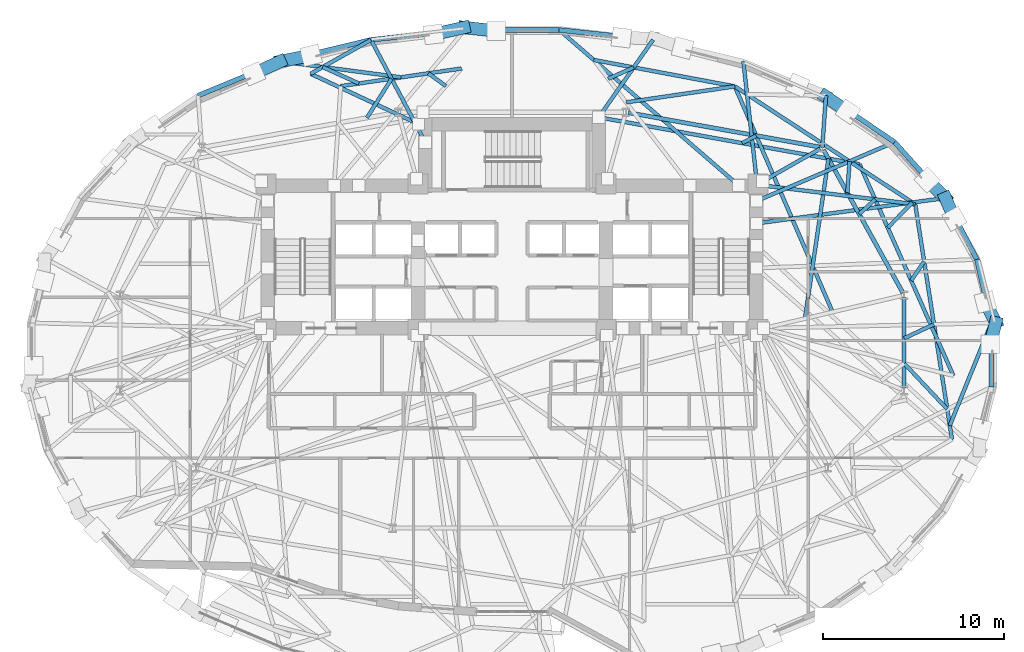
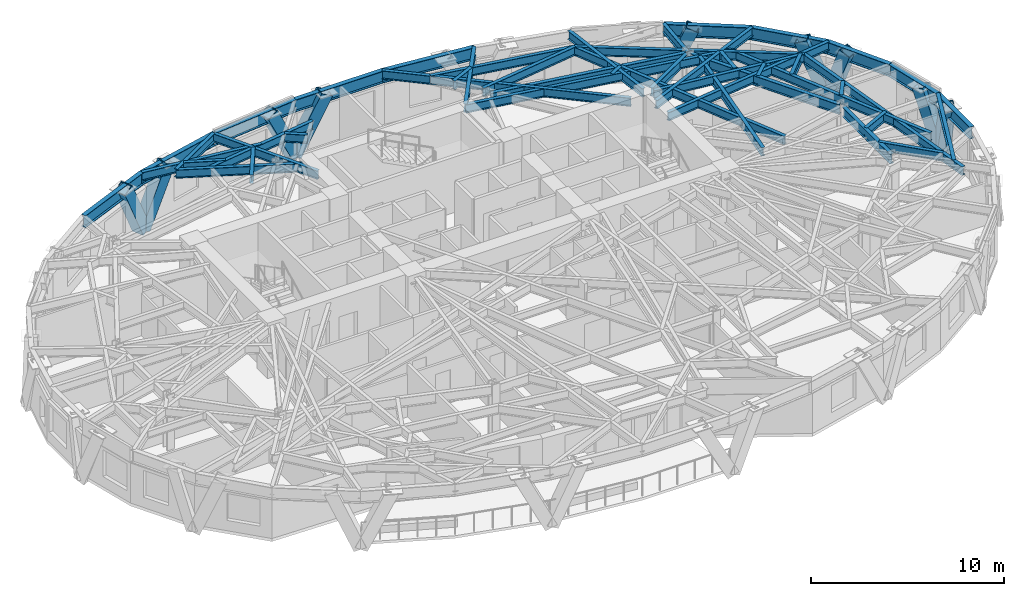
# One storey, part 5 of 15: 46 beams, 9 members.
"""IFC4 building model written with IfcOpenShell, lengths in metres."""

from ifc_helpers import new_model, si_unit, direction, frame, origin, origin_2d, place, context, subcontext, project, spatial, hollow_rectangle, i_section, extrude, material, material_profile, profile_set, type_object, element, save


model = new_model("IFC4")

# Units and contexts
model_context = context("Model", 3, precision=1e-05, world=origin(), true_north=direction((0.0, 1.0)))
body_context = subcontext(model_context, "Body", "Model", "MODEL_VIEW")
ifc_project = project(units=[si_unit("LENGTHUNIT", "METRE"), si_unit("AREAUNIT", "SQUARE_METRE"), si_unit("VOLUMEUNIT", "CUBIC_METRE"), si_unit("PLANEANGLEUNIT", "RADIAN"), si_unit("MASSUNIT", "GRAM", prefix="KILO")], contexts=[model_context])

# Site, building, storey
site_placement = place(None, origin())
site = spatial("IfcSite", under=ifc_project, at=site_placement, CompositionType="ELEMENT")
building_placement = place(site_placement, origin())
building = spatial("IfcBuilding", under=site, at=building_placement, Name="Keldmark Tower", CompositionType="ELEMENT")
storey_placement = place(building_placement, frame((0.0, 0.0, 114.10009765625)))
storey = spatial("IfcBuildingStorey", under=building, at=storey_placement, Name="L30", CompositionType="ELEMENT", Elevation=114.10009765625)

# Members
ifc_material_1 = material(Name="Steel ASTM A572 Grade 50", Category="steel")
ifc_material_profile_1 = material_profile(ifc_material_1, hollow_rectangle(XDim=0.699951171875, YDim=0.699951171875, WallThickness=0.044921875, at=origin_2d()), Name="BOX700X700X45")
ifc_profile_set_1 = profile_set([ifc_material_profile_1], Name="Steel ASTM A572 Grade 50")
member_type = type_object("IfcMemberType", Name="Diagrid Zone 2 Brace BOX700X700X45", PredefinedType="BRACE", material=ifc_profile_set_1)
member_1_placement = place(storey_placement, frame((26.7607421875, 1.784912109375, -0.27001953125), z_axis=(-0.153662842011, 0.312352965982, 0.937455788626), x_axis=(-0.897296912259, -0.441427515285, 0.0)))
element("IfcMember", 1, at=member_1_placement, inside=storey, type_object=member_type, Name="L30 Perimeter Diagrid Brace 01A", PredefinedType="BRACE", context=body_context, shape_type="SweptSolid", body=[
    extrude(hollow_rectangle(XDim=0.699951171875, YDim=0.699951171875, WallThickness=0.044921875, at=origin_2d()), origin(), (0.0, 0.0, 1.0), 3.69091796875),
])
member_2_placement = place(storey_placement, frame((23.97900390625, 8.692626953125, -0.27001953125), z_axis=(0.136516913065, -0.315115495934, 0.939183345609), x_axis=(0.91759082275, 0.397526202916, 0.0)))
element("IfcMember", 2, at=member_2_placement, inside=storey, type_object=member_type, Name="L30 Perimeter Diagrid Brace 01B", PredefinedType="BRACE", context=body_context, shape_type="SweptSolid", body=[
    extrude(hollow_rectangle(XDim=0.699951171875, YDim=0.699951171875, WallThickness=0.044921875, at=origin_2d()), origin(), (0.0, 0.0, 1.0), 3.68408203125),
])
member_3_placement = place(storey_placement, frame((23.9833984375, 8.681640625, -0.27001953125), z_axis=(-0.270953589184, 0.267691446285, 0.924621783268), x_axis=(-0.702811511408, -0.711376116714, 0.0)))
element("IfcMember", 3, at=member_3_placement, inside=storey, type_object=member_type, Name="L30 Perimeter Diagrid Brace 02A", PredefinedType="BRACE", context=body_context, shape_type="SweptSolid", body=[
    extrude(hollow_rectangle(XDim=0.699951171875, YDim=0.699951171875, WallThickness=0.044921875, at=origin_2d()), origin(), (0.0, 0.0, 1.0), 3.741943359375),
])
member_4_placement = place(storey_placement, frame((17.32861328125, 14.31494140625, -0.27001953125), z_axis=(0.333190899241, -0.227765450983, 0.914935366024), x_axis=(0.564334068534, 0.825546521458, 0.0)))
element("IfcMember", 4, at=member_4_placement, inside=storey, type_object=member_type, Name="L30 Perimeter Diagrid Brace 02B", PredefinedType="BRACE", context=body_context, shape_type="SweptSolid", body=[
    extrude(hollow_rectangle(XDim=0.699951171875, YDim=0.699951171875, WallThickness=0.044921875, at=origin_2d()), origin(), (0.0, 0.0, 1.0), 3.78173828125),
])
member_5_placement = place(storey_placement, frame((-2.6474609375, 18.123046875, -0.27001953125), z_axis=(0.454972336139, -0.051876757478, 0.888993236972), x_axis=(0.113287737135, 0.993562221813, 0.0)))
element("IfcMember", 5, at=member_5_placement, inside=storey, type_object=member_type, Name="L30 Perimeter Diagrid Brace 04B", PredefinedType="BRACE", context=body_context, shape_type="SweptSolid", body=[
    extrude(hollow_rectangle(XDim=0.699951171875, YDim=0.699951171875, WallThickness=0.044921875, at=origin_2d()), origin(), (0.0, 0.0, 1.0), 3.89208984375),
])
member_6_placement = place(storey_placement, frame((-2.6357421875, 18.123046875, -0.27001953125), z_axis=(-0.438849956225, -0.099125643472, 0.893076045322), x_axis=(0.220325357236, -0.975426438518, 0.0)))
element("IfcMember", 6, at=member_6_placement, inside=storey, type_object=member_type, Name="L30 Perimeter Diagrid Brace 05A", PredefinedType="BRACE", context=body_context, shape_type="SweptSolid", body=[
    extrude(hollow_rectangle(XDim=0.699951171875, YDim=0.699951171875, WallThickness=0.044921875, at=origin_2d()), origin(), (0.0, 0.0, 1.0), 3.874267578125),
])
member_7_placement = place(storey_placement, frame((-12.830322265625, 16.23779296875, -0.27001953125), z_axis=(0.441892056397, 0.088126441468, 0.892729041091), x_axis=(-0.195578418246, 0.980688065756, 0.0)))
element("IfcMember", 7, at=member_7_placement, inside=storey, type_object=member_type, Name="L30 Perimeter Diagrid Brace 05B", PredefinedType="BRACE", context=body_context, shape_type="SweptSolid", body=[
    extrude(hollow_rectangle(XDim=0.699951171875, YDim=0.699951171875, WallThickness=0.044921875, at=origin_2d()), origin(), (0.0, 0.0, 1.0), 3.875732421875),
])
member_8_placement = place(storey_placement, frame((-12.8193359375, 16.242431640625, -0.27001953125), z_axis=(-0.386231402682, -0.179645482173, 0.904739080795), x_axis=(0.42173648065, -0.906718446316, 0.0)))
element("IfcMember", 8, at=member_8_placement, inside=storey, type_object=member_type, Name="L30 Perimeter Diagrid Brace 06A", PredefinedType="BRACE", context=body_context, shape_type="SweptSolid", body=[
    extrude(hollow_rectangle(XDim=0.699951171875, YDim=0.699951171875, WallThickness=0.044921875, at=origin_2d()), origin(), (0.0, 0.0, 1.0), 3.82421875),
])
member_9_placement = place(storey_placement, frame((26.7607421875, 1.796630859375, -0.27001953125), z_axis=(-0.08125964191, -0.326699639631, 0.94162849153), x_axis=(0.970432044654, -0.241374494735, 0.0)))
element("IfcMember", 9, at=member_9_placement, inside=storey, type_object=member_type, Name="L30 Perimeter Diagrid Brace 16B", PredefinedType="BRACE", context=body_context, shape_type="SweptSolid", body=[
    extrude(hollow_rectangle(XDim=0.699951171875, YDim=0.699951171875, WallThickness=0.044921875, at=origin_2d()), origin(), (0.0, 0.0, 1.0), 3.674560546875),
])

# Beams
ifc_material_2 = material(Name="Steel ASTM A992 Grade 50", Category="steel")
ifc_material_profile_2 = material_profile(ifc_material_2, i_section(OverallWidth=0.22900390625, OverallDepth=0.612060546875, WebThickness=0.011962890625, FlangeThickness=0.01953125, at=origin_2d()), Name="W24X84")
ifc_profile_set_2 = profile_set([ifc_material_profile_2], Name="Steel ASTM A992 Grade 50")
beam_type_1 = type_object("IfcBeamType", Name="Primary Floor Girder W24X84", PredefinedType="BEAM", material=ifc_profile_set_2)
beam_1_placement = place(storey_placement, frame((21.62890625, 3.432373046875, 3.00390625), z_axis=(-0.484951836703, 0.874540860154, 0.0), x_axis=(-0.874540860154, -0.484951836703, 0.0)))
element("IfcBeam", 10, at=beam_1_placement, inside=storey, type_object=beam_type_1, Name="L30 Floor Ring Girder FG-R01", PredefinedType="BEAM", context=body_context, shape_type="SweptSolid", body=[
    extrude(i_section(OverallWidth=0.22900390625, OverallDepth=0.612060546875, WebThickness=0.011962890625, FlangeThickness=0.01953125, at=origin_2d()), origin(), (0.0, 0.0, 1.0), 9.060302734375),
])
beam_2_placement = place(storey_placement, frame((17.029296875, 11.503173828125, 3.00390625), z_axis=(-0.984218266992, 0.176958760505, 0.0), x_axis=(-0.176958760505, -0.984218266992, 0.0)))
element("IfcBeam", 11, at=beam_2_placement, inside=storey, type_object=beam_type_1, Name="L30 Floor Ring Girder FG-R02", PredefinedType="BEAM", context=body_context, shape_type="SweptSolid", body=[
    extrude(i_section(OverallWidth=0.22900390625, OverallDepth=0.612060546875, WebThickness=0.011962890625, FlangeThickness=0.01953125, at=origin_2d()), origin(), (0.0, 0.0, 1.0), 10.7626953125),
])
beam_3_placement = place(storey_placement, frame((21.697021484375, -1.825927734375, 3.00390625), z_axis=(0.0, 1.0, 0.0), x_axis=(-1.0, 0.0, 0.0)))
element("IfcBeam", 12, at=beam_3_placement, inside=storey, type_object=beam_type_1, Name="L30 Floor Ring Girder FG-R12", PredefinedType="BEAM", context=body_context, shape_type="SweptSolid", body=[
    extrude(i_section(OverallWidth=0.22900390625, OverallDepth=0.612060546875, WebThickness=0.011962890625, FlangeThickness=0.01953125, at=origin_2d()), origin(), (0.0, 0.0, 1.0), 4.995849609375),
])
ifc_material_3 = material(Name="Steel ASTM A992 Grade 50", Category="steel")
ifc_material_profile_3 = material_profile(ifc_material_3, i_section(OverallWidth=0.2099609375, OverallDepth=0.537109375, WebThickness=0.010986328125, FlangeThickness=0.017333984375, at=origin_2d()), Name="W21X68")
ifc_profile_set_3 = profile_set([ifc_material_profile_3], Name="Steel ASTM A992 Grade 50")
beam_type_2 = type_object("IfcBeamType", Name="Radial Tie Girder W21X68", PredefinedType="BEAM", material=ifc_profile_set_3)
beam_4_placement = place(storey_placement, frame((17.04541015625, 11.4091796875, 3.04150390625), z_axis=(-0.86928447329, -0.494312152892, 0.0), x_axis=(0.494312152892, -0.86928447329, 0.0)))
element("IfcBeam", 13, at=beam_4_placement, inside=storey, type_object=beam_type_2, Name="L30 Floor Radial Girder FG-C02", PredefinedType="BEAM", context=body_context, shape_type="SweptSolid", body=[
    extrude(i_section(OverallWidth=0.2099609375, OverallDepth=0.537109375, WebThickness=0.010986328125, FlangeThickness=0.017333984375, at=origin_2d()), origin(), (0.0, 0.0, 1.0), 3.6435546875),
])
beam_5_placement = place(storey_placement, frame((16.206298828125, 2.014892578125, 3.04150390625), z_axis=(0.145681840173, 0.989331492193, 0.0), x_axis=(-0.989331492193, 0.145681840173, 0.0)))
element("IfcBeam", 14, at=beam_5_placement, inside=storey, type_object=beam_type_2, Name="L30 Framing Pin Header PH-001", PredefinedType="BEAM", context=body_context, shape_type="SweptSolid", body=[
    extrude(i_section(OverallWidth=0.2099609375, OverallDepth=0.537109375, WebThickness=0.010986328125, FlangeThickness=0.017333984375, at=origin_2d()), origin(), (0.0, 0.0, 1.0), 8.9423828125),
])
beam_6_placement = place(storey_placement, frame((4.800048828125, 13.14990234375, 3.04150390625), z_axis=(0.984176993777, -0.17718816247, 0.0), x_axis=(0.17718816247, 0.984176993777, 0.0)))
element("IfcBeam", 15, at=beam_6_placement, inside=storey, type_object=beam_type_2, Name="L30 Sub-Ring Step Girder STP1-M01", PredefinedType="BEAM", context=body_context, shape_type="SweptSolid", body=[
    extrude(i_section(OverallWidth=0.2099609375, OverallDepth=0.537109375, WebThickness=0.010986328125, FlangeThickness=0.017333984375, at=origin_2d()), origin(), (0.0, 0.0, 1.0), 14.660400390625),
])
beam_7_placement = place(storey_placement, frame((-2.7998046875, 15.849365234375, 3.04150390625), z_axis=(-0.989507555485, -0.144481132462, 0.0), x_axis=(0.144481132462, -0.989507555485, 0.0)))
element("IfcBeam", 16, at=beam_7_placement, inside=storey, type_object=beam_type_2, Name="L30 Perimeter Collector Ring Beam CRG1-M04", PredefinedType="BEAM", context=body_context, shape_type="SweptSolid", body=[
    extrude(i_section(OverallWidth=0.2099609375, OverallDepth=0.537109375, WebThickness=0.010986328125, FlangeThickness=0.017333984375, at=origin_2d()), origin(), (0.0, 0.0, 1.0), 6.74560546875),
])
beam_8_placement = place(storey_placement, frame((24.421875, -1.143798828125, 3.04150390625), z_axis=(-0.405819824901, 0.913953100392, 0.0), x_axis=(-0.913953100392, -0.405819824901, 0.0)))
element("IfcBeam", 17, at=beam_8_placement, inside=storey, type_object=beam_type_2, Name="L30 Perimeter Collector Ring Beam CRG1-M12", PredefinedType="BEAM", context=body_context, shape_type="SweptSolid", body=[
    extrude(i_section(OverallWidth=0.2099609375, OverallDepth=0.537109375, WebThickness=0.010986328125, FlangeThickness=0.017333984375, at=origin_2d()), origin(), (0.0, 0.0, 1.0), 12.797119140625),
])
beam_9_placement = place(storey_placement, frame((19.21240234375, 7.790283203125, 3.04150390625), z_axis=(0.730670115519, 0.68273068064, 0.0), x_axis=(-0.68273068064, 0.730670115519, 0.0)))
element("IfcBeam", 18, at=beam_9_placement, inside=storey, type_object=beam_type_2, Name="L30 Framing Pin Header PH-007", PredefinedType="BEAM", context=body_context, shape_type="SweptSolid", body=[
    extrude(i_section(OverallWidth=0.2099609375, OverallDepth=0.537109375, WebThickness=0.010986328125, FlangeThickness=0.017333984375, at=origin_2d()), origin(), (0.0, 0.0, 1.0), 1.201904296875),
])
beam_10_placement = place(storey_placement, frame((13.89990234375, 9.375, 3.04150390625), z_axis=(0.992465579298, -0.122523768747, 0.0), x_axis=(0.122523768747, 0.992465579298, 0.0)))
element("IfcBeam", 19, at=beam_10_placement, inside=storey, type_object=beam_type_2, Name="L30 Sub-Ring Step Girder STP2-M01", PredefinedType="BEAM", context=body_context, shape_type="SweptSolid", body=[
    extrude(i_section(OverallWidth=0.2099609375, OverallDepth=0.537109375, WebThickness=0.010986328125, FlangeThickness=0.017333984375, at=origin_2d()), origin(), (0.0, 0.0, 1.0), 8.472412109375),
])
beam_11_placement = place(storey_placement, frame((12.735595703125, 11.72119140625, 3.04150390625), z_axis=(0.881140470397, 0.472854598612, 0.0), x_axis=(-0.472854598612, 0.881140470397, 0.0)))
element("IfcBeam", 20, at=beam_11_placement, inside=storey, type_object=beam_type_2, Name="L30 Framing Pin Header PH-008", PredefinedType="BEAM", context=body_context, shape_type="SweptSolid", body=[
    extrude(i_section(OverallWidth=0.2099609375, OverallDepth=0.537109375, WebThickness=0.010986328125, FlangeThickness=0.017333984375, at=origin_2d()), origin(), (0.0, 0.0, 1.0), 0.877197265625),
])
beam_12_placement = place(storey_placement, frame((17.736083984375, 2.375732421875, 3.04150390625), z_axis=(-0.397457361503, 0.917620643723, 0.0), x_axis=(-0.917620643723, -0.397457361503, 0.0)))
element("IfcBeam", 21, at=beam_12_placement, inside=storey, type_object=beam_type_2, Name="L30 Sub-Ring Step Girder STP2-M02", PredefinedType="BEAM", context=body_context, shape_type="SweptSolid", body=[
    extrude(i_section(OverallWidth=0.2099609375, OverallDepth=0.537109375, WebThickness=0.010986328125, FlangeThickness=0.017333984375, at=origin_2d()), origin(), (0.0, 0.0, 1.0), 13.605224609375),
])
beam_13_placement = place(storey_placement, frame((12.32861328125, 14.860107421875, 3.04150390625), z_axis=(-0.989393133118, -0.14526261783, 0.0), x_axis=(0.14526261783, -0.989393133118, 0.0)))
element("IfcBeam", 22, at=beam_13_placement, inside=storey, type_object=beam_type_2, Name="L30 Framing Pin Header PH-009", PredefinedType="BEAM", context=body_context, shape_type="SweptSolid", body=[
    extrude(i_section(OverallWidth=0.2099609375, OverallDepth=0.537109375, WebThickness=0.010986328125, FlangeThickness=0.017333984375, at=origin_2d()), origin(), (0.0, 0.0, 1.0), 6.07568359375),
])
beam_14_placement = place(storey_placement, frame((22.30859375, 8.3369140625, 3.04150390625), z_axis=(-0.837053294089, 0.547121360262, 0.0), x_axis=(-0.547121360262, -0.837053294089, 0.0)))
element("IfcBeam", 23, at=beam_14_placement, inside=storey, type_object=beam_type_2, Name="L30 Perimeter Collector Ring Beam CRG2-M01", PredefinedType="BEAM", context=body_context, shape_type="SweptSolid", body=[
    extrude(i_section(OverallWidth=0.2099609375, OverallDepth=0.537109375, WebThickness=0.010986328125, FlangeThickness=0.017333984375, at=origin_2d()), origin(), (0.0, 0.0, 1.0), 11.9228515625),
])
beam_15_placement = place(storey_placement, frame((12.32861328125, 14.860107421875, 3.04150390625), z_axis=(-0.982917753696, 0.18404534623, 0.0), x_axis=(-0.18404534623, -0.982917753696, 0.0)))
element("IfcBeam", 24, at=beam_15_placement, inside=storey, type_object=beam_type_2, Name="L30 Perimeter Collector Ring Beam CRG2-M02", PredefinedType="BEAM", context=body_context, shape_type="SweptSolid", body=[
    extrude(i_section(OverallWidth=0.2099609375, OverallDepth=0.537109375, WebThickness=0.010986328125, FlangeThickness=0.017333984375, at=origin_2d()), origin(), (0.0, 0.0, 1.0), 7.940673828125),
])
beam_16_placement = place(storey_placement, frame((24.341552734375, -4.668701171875, 3.04150390625), z_axis=(-0.154438549148, 0.988002396018, 0.0), x_axis=(-0.988002396018, -0.154438549148, 0.0)))
element("IfcBeam", 25, at=beam_16_placement, inside=storey, type_object=beam_type_2, Name="L30 Perimeter Collector Ring Beam CRG2-M12", PredefinedType="BEAM", context=body_context, shape_type="SweptSolid", body=[
    extrude(i_section(OverallWidth=0.2099609375, OverallDepth=0.537109375, WebThickness=0.010986328125, FlangeThickness=0.017333984375, at=origin_2d()), origin(), (0.0, 0.0, 1.0), 13.16357421875),
])
beam_17_placement = place(storey_placement, frame((21.697021484375, 0.921875, 3.04150390625), z_axis=(0.905167528845, 0.425054990236, 0.0), x_axis=(-0.425054990236, 0.905167528845, 0.0)))
element("IfcBeam", 26, at=beam_17_placement, inside=storey, type_object=beam_type_2, Name="L30 Framing Pin Header PH-014", PredefinedType="BEAM", context=body_context, shape_type="SweptSolid", body=[
    extrude(i_section(OverallWidth=0.2099609375, OverallDepth=0.537109375, WebThickness=0.010986328125, FlangeThickness=0.017333984375, at=origin_2d()), origin(), (0.0, 0.0, 1.0), 1.822509765625),
])
beam_18_placement = place(storey_placement, frame((22.0849609375, 4.119384765625, 3.04150390625), z_axis=(0.562932882357, 0.826502613403, 0.0), x_axis=(-0.826502613403, 0.562932882357, 0.0)))
element("IfcBeam", 27, at=beam_18_placement, inside=storey, type_object=beam_type_2, Name="L30 Framing Pin Header PH-015", PredefinedType="BEAM", context=body_context, shape_type="SweptSolid", body=[
    extrude(i_section(OverallWidth=0.2099609375, OverallDepth=0.537109375, WebThickness=0.010986328125, FlangeThickness=0.017333984375, at=origin_2d()), origin(), (0.0, 0.0, 1.0), 1.275390625),
])
beam_19_placement = place(storey_placement, frame((20.78662109375, 7.04345703125, 3.04150390625), z_axis=(0.700198865469, 0.713947861399, 0.0), x_axis=(-0.713947861399, 0.700198865469, 0.0)))
element("IfcBeam", 28, at=beam_19_placement, inside=storey, type_object=beam_type_2, Name="L30 Framing Pin Header PH-016", PredefinedType="BEAM", context=body_context, shape_type="SweptSolid", body=[
    extrude(i_section(OverallWidth=0.2099609375, OverallDepth=0.537109375, WebThickness=0.010986328125, FlangeThickness=0.017333984375, at=origin_2d()), origin(), (0.0, 0.0, 1.0), 1.953369140625),
])
beam_20_placement = place(storey_placement, frame((13.52490234375, 7.278564453125, 3.04150390625), z_axis=(0.991096680832, 0.133144167145, 0.0), x_axis=(-0.133144167145, 0.991096680832, 0.0)))
element("IfcBeam", 29, at=beam_20_placement, inside=storey, type_object=beam_type_2, Name="L30 Perimeter Radial Tie Girder RT-03", PredefinedType="BEAM", context=body_context, shape_type="SweptSolid", body=[
    extrude(i_section(OverallWidth=0.2099609375, OverallDepth=0.537109375, WebThickness=0.010986328125, FlangeThickness=0.017333984375, at=origin_2d()), origin(), (0.0, 0.0, 1.0), 10.519775390625),
])
beam_21_placement = place(storey_placement, frame((18.55322265625, 8.978759765625, 3.04150390625), z_axis=(0.069529995965, 0.997579861295, 0.0), x_axis=(-0.997579861295, 0.069529995965, 0.0)))
element("IfcBeam", 30, at=beam_21_placement, inside=storey, type_object=beam_type_2, Name="L30 Framing Pin Header PH-017", PredefinedType="BEAM", context=body_context, shape_type="SweptSolid", body=[
    extrude(i_section(OverallWidth=0.2099609375, OverallDepth=0.537109375, WebThickness=0.010986328125, FlangeThickness=0.017333984375, at=origin_2d()), origin(), (0.0, 0.0, 1.0), 1.738037109375),
])
beam_22_placement = place(storey_placement, frame((13.52490234375, 8.514404296875, 3.04150390625), z_axis=(0.919698944383, 0.392624313691, 0.0), x_axis=(-0.392624313691, 0.919698944383, 0.0)))
element("IfcBeam", 31, at=beam_22_placement, inside=storey, type_object=beam_type_2, Name="L30 Perimeter Radial Tie Girder RT-04", PredefinedType="BEAM", context=body_context, shape_type="SweptSolid", body=[
    extrude(i_section(OverallWidth=0.2099609375, OverallDepth=0.537109375, WebThickness=0.010986328125, FlangeThickness=0.017333984375, at=origin_2d()), origin(), (0.0, 0.0, 1.0), 8.307373046875),
])
beam_23_placement = place(storey_placement, frame((17.1669921875, 11.478271484375, 3.04150390625), z_axis=(0.070571902233, 0.997506695023, 0.0), x_axis=(-0.997506695023, 0.070571902233, 0.0)))
element("IfcBeam", 32, at=beam_23_placement, inside=storey, type_object=beam_type_2, Name="L30 Perimeter Column Bracket RT-05", PredefinedType="BEAM", context=body_context, shape_type="SweptSolid", body=[
    extrude(i_section(OverallWidth=0.2099609375, OverallDepth=0.537109375, WebThickness=0.010986328125, FlangeThickness=0.017333984375, at=origin_2d()), origin(), (0.0, 0.0, 1.0), 2.878173828125),
])
beam_24_placement = place(storey_placement, frame((13.52490234375, 9.75, 3.04150390625), z_axis=(-0.110739381018, 0.9938494803, 0.0), x_axis=(-0.9938494803, -0.110739381018, 0.0)))
element("IfcBeam", 33, at=beam_24_placement, inside=storey, type_object=beam_type_2, Name="L30 Perimeter Radial Tie Girder RT-06", PredefinedType="BEAM", context=body_context, shape_type="SweptSolid", body=[
    extrude(i_section(OverallWidth=0.2099609375, OverallDepth=0.537109375, WebThickness=0.010986328125, FlangeThickness=0.017333984375, at=origin_2d()), origin(), (0.0, 0.0, 1.0), 6.52783203125),
])
beam_25_placement = place(storey_placement, frame((5.321044921875, 15.279541015625, 3.04150390625), z_axis=(0.913400392994, 0.407062307366, 0.0), x_axis=(-0.407062307366, 0.913400392994, 0.0)))
element("IfcBeam", 34, at=beam_25_placement, inside=storey, type_object=beam_type_2, Name="L30 Framing Pin Header PH-019", PredefinedType="BEAM", context=body_context, shape_type="SweptSolid", body=[
    extrude(i_section(OverallWidth=0.2099609375, OverallDepth=0.537109375, WebThickness=0.010986328125, FlangeThickness=0.017333984375, at=origin_2d()), origin(), (0.0, 0.0, 1.0), 1.54443359375),
])
beam_26_placement = place(storey_placement, frame((4.800048828125, 13.14990234375, 3.04150390625), z_axis=(0.573672202677, 0.819084979642, 0.0), x_axis=(-0.819084979642, 0.573672202677, 0.0)))
element("IfcBeam", 35, at=beam_26_placement, inside=storey, type_object=beam_type_2, Name="L30 Perimeter Radial Tie Girder RT-07", PredefinedType="BEAM", context=body_context, shape_type="SweptSolid", body=[
    extrude(i_section(OverallWidth=0.2099609375, OverallDepth=0.537109375, WebThickness=0.010986328125, FlangeThickness=0.017333984375, at=origin_2d()), origin(), (0.0, 0.0, 1.0), 5.230712890625),
])
beam_27_placement = place(storey_placement, frame((12.54638671875, 9.375, 3.04150390625), z_axis=(-0.755833094598, 0.654764334025, 0.0), x_axis=(-0.654764334025, -0.755833094598, 0.0)))
element("IfcBeam", 36, at=beam_27_placement, inside=storey, type_object=beam_type_2, Name="L30 Perimeter Radial Tie Girder RT-08", PredefinedType="BEAM", context=body_context, shape_type="SweptSolid", body=[
    extrude(i_section(OverallWidth=0.2099609375, OverallDepth=0.537109375, WebThickness=0.010986328125, FlangeThickness=0.017333984375, at=origin_2d()), origin(), (0.0, 0.0, 1.0), 13.143310546875),
])
beam_28_placement = place(storey_placement, frame((-3.65283203125, 14.878173828125, 3.04150390625), z_axis=(-0.81005193503, 0.586358135063, 0.0), x_axis=(-0.586358135063, -0.81005193503, 0.0)))
element("IfcBeam", 37, at=beam_28_placement, inside=storey, type_object=beam_type_2, Name="L30 Framing Pin Header PH-020", PredefinedType="BEAM", context=body_context, shape_type="SweptSolid", body=[
    extrude(i_section(OverallWidth=0.2099609375, OverallDepth=0.537109375, WebThickness=0.010986328125, FlangeThickness=0.017333984375, at=origin_2d()), origin(), (0.0, 0.0, 1.0), 1.20166015625),
])
beam_29_placement = place(storey_placement, frame((-8.025390625, 13.1220703125, 3.04150390625), z_axis=(0.53287152328, 0.846196159101, 0.0), x_axis=(-0.846196159101, 0.53287152328, 0.0)))
element("IfcBeam", 38, at=beam_29_placement, inside=storey, type_object=beam_type_2, Name="L30 Framing Pin Header PH-021", PredefinedType="BEAM", context=body_context, shape_type="SweptSolid", body=[
    extrude(i_section(OverallWidth=0.2099609375, OverallDepth=0.537109375, WebThickness=0.010986328125, FlangeThickness=0.017333984375, at=origin_2d()), origin(), (0.0, 0.0, 1.0), 2.556640625),
])
beam_30_placement = place(storey_placement, frame((-4.800048828125, 11.7666015625, 3.04150390625), z_axis=(-0.4679087098, 0.883776804003, 0.0), x_axis=(-0.883776804003, -0.4679087098, 0.0)))
element("IfcBeam", 39, at=beam_30_placement, inside=storey, type_object=beam_type_2, Name="L30 Perimeter Radial Tie Girder RT-10", PredefinedType="BEAM", context=body_context, shape_type="SweptSolid", body=[
    extrude(i_section(OverallWidth=0.2099609375, OverallDepth=0.537109375, WebThickness=0.010986328125, FlangeThickness=0.017333984375, at=origin_2d()), origin(), (0.0, 0.0, 1.0), 6.4130859375),
])
beam_31_placement = place(storey_placement, frame((-5.175048828125, 12.77490234375, 3.04150390625), z_axis=(-0.906258957896, 0.422722960381, 0.0), x_axis=(-0.422722960381, -0.906258957896, 0.0)))
element("IfcBeam", 40, at=beam_31_placement, inside=storey, type_object=beam_type_2, Name="L30 Intermediate Radial Step Girder RT-11M", PredefinedType="BEAM", context=body_context, shape_type="SweptSolid", body=[
    extrude(i_section(OverallWidth=0.2099609375, OverallDepth=0.537109375, WebThickness=0.010986328125, FlangeThickness=0.017333984375, at=origin_2d()), origin(), (0.0, 0.0, 1.0), 6.579833984375),
])
beam_32_placement = place(storey_placement, frame((-7.80078125, 17.434326171875, 3.04150390625), z_axis=(-0.871504018512, -0.490388362135, 0.0), x_axis=(0.490388362135, -0.871504018512, 0.0)))
element("IfcBeam", 41, at=beam_32_placement, inside=storey, type_object=beam_type_2, Name="L30 Local Collector Chord RT-11C", PredefinedType="BEAM", context=body_context, shape_type="SweptSolid", body=[
    extrude(i_section(OverallWidth=0.2099609375, OverallDepth=0.537109375, WebThickness=0.010986328125, FlangeThickness=0.017333984375, at=origin_2d()), origin(), (0.0, 0.0, 1.0), 3.82958984375),
])
beam_33_placement = place(storey_placement, frame((-8.473388671875, 15.02099609375, 3.04150390625), z_axis=(-0.909989115676, 0.414632137384, 0.0), x_axis=(-0.414632137384, -0.909989115676, 0.0)))
element("IfcBeam", 42, at=beam_33_placement, inside=storey, type_object=beam_type_2, Name="L30 Framing Pin Header PH-022", PredefinedType="BEAM", context=body_context, shape_type="SweptSolid", body=[
    extrude(i_section(OverallWidth=0.2099609375, OverallDepth=0.537109375, WebThickness=0.010986328125, FlangeThickness=0.017333984375, at=origin_2d()), origin(), (0.0, 0.0, 1.0), 2.19580078125),
])
beam_34_placement = place(storey_placement, frame((-6.13720703125, 15.362060546875, 3.04150390625), z_axis=(-0.991477643588, 0.130276944487, 0.0), x_axis=(-0.130276944487, -0.991477643588, 0.0)))
element("IfcBeam", 43, at=beam_34_placement, inside=storey, type_object=beam_type_2, Name="L30 Perimeter Radial Tie Girder RT-11", PredefinedType="BEAM", context=body_context, shape_type="SweptSolid", body=[
    extrude(i_section(OverallWidth=0.2099609375, OverallDepth=0.537109375, WebThickness=0.010986328125, FlangeThickness=0.017333984375, at=origin_2d()), origin(), (0.0, 0.0, 1.0), 6.72216796875),
])
beam_35_placement = place(storey_placement, frame((26.52197265625, 1.77099609375, 3.04150390625), z_axis=(-0.375981061121, -0.926627347793, 0.0), x_axis=(0.926627347793, -0.375981061121, 0.0)))
element("IfcBeam", 44, at=beam_35_placement, inside=storey, type_object=beam_type_2, Name="L30 Framing Pin Header PH-049", PredefinedType="BEAM", context=body_context, shape_type="SweptSolid", body=[
    extrude(i_section(OverallWidth=0.2099609375, OverallDepth=0.537109375, WebThickness=0.010986328125, FlangeThickness=0.017333984375, at=origin_2d()), origin(), (0.0, 0.0, 1.0), 6.119384765625),
])
beam_36_placement = place(storey_placement, frame((21.697021484375, -0.465576171875, 3.04150390625), z_axis=(0.685682357083, -0.727900889672, 0.0), x_axis=(0.727900889672, 0.685682357083, 0.0)))
element("IfcBeam", 45, at=beam_36_placement, inside=storey, type_object=beam_type_2, Name="L30 Framing Pin Header PH-050", PredefinedType="BEAM", context=body_context, shape_type="SweptSolid", body=[
    extrude(i_section(OverallWidth=0.2099609375, OverallDepth=0.537109375, WebThickness=0.010986328125, FlangeThickness=0.017333984375, at=origin_2d()), origin(), (0.0, 0.0, 1.0), 3.475341796875),
])
ifc_material_4 = material(Name="Steel ASTM A992 Grade 50", Category="steel")
ifc_material_profile_4 = material_profile(ifc_material_4, i_section(OverallWidth=0.26806640625, OverallDepth=0.77001953125, WebThickness=0.015625, FlangeThickness=0.025390625, at=origin_2d()), Name="W30X132")
ifc_profile_set_4 = profile_set([ifc_material_profile_4], Name="Steel ASTM A992 Grade 50")
beam_type_3 = type_object("IfcBeamType", Name="Spandrel Ring Beam W30X132", PredefinedType="SPANDREL", material=ifc_profile_set_4)
beam_37_placement = place(storey_placement, frame((26.52197265625, 1.77099609375, 2.9248046875), z_axis=(-0.223307865615, 0.974747965966, 0.0), x_axis=(-0.974747965966, -0.223307865615, 0.0)))
element("IfcBeam", 46, at=beam_37_placement, inside=storey, type_object=beam_type_3, Name="L30 Perimeter Spandrel Ring Beam SRB-01", PredefinedType="SPANDREL", context=body_context, shape_type="SweptSolid", body=[
    extrude(i_section(OverallWidth=0.26806640625, OverallDepth=0.77001953125, WebThickness=0.015625, FlangeThickness=0.025390625, at=origin_2d()), origin(), (0.0, 0.0, 1.0), 3.60888671875),
])
beam_38_placement = place(storey_placement, frame((25.716064453125, 5.288818359375, 2.9248046875), z_axis=(-0.461793105614, 0.886987670493, 0.0), x_axis=(-0.886987670493, -0.461793105614, 0.0)))
element("IfcBeam", 47, at=beam_38_placement, inside=storey, type_object=beam_type_3, Name="L30 Perimeter Spandrel Ring Beam SRB-02", PredefinedType="SPANDREL", context=body_context, shape_type="SweptSolid", body=[
    extrude(i_section(OverallWidth=0.26806640625, OverallDepth=0.77001953125, WebThickness=0.015625, FlangeThickness=0.025390625, at=origin_2d()), origin(), (0.0, 0.0, 1.0), 3.822265625),
])
beam_39_placement = place(storey_placement, frame((23.950927734375, 8.67919921875, 2.9248046875), z_axis=(-0.668754222456, 0.743483550556, 0.0), x_axis=(-0.743483550556, -0.668754222456, 0.0)))
element("IfcBeam", 48, at=beam_39_placement, inside=storey, type_object=beam_type_3, Name="L30 Perimeter Spandrel Ring Beam SRB-03", PredefinedType="SPANDREL", context=body_context, shape_type="SweptSolid", body=[
    extrude(i_section(OverallWidth=0.26806640625, OverallDepth=0.77001953125, WebThickness=0.015625, FlangeThickness=0.025390625, at=origin_2d()), origin(), (0.0, 0.0, 1.0), 4.16552734375),
])
beam_40_placement = place(storey_placement, frame((21.165283203125, 11.776123046875, 2.9248046875), z_axis=(-0.827683347515, 0.561195399345, 0.0), x_axis=(-0.561195399345, -0.827683347515, 0.0)))
element("IfcBeam", 49, at=beam_40_placement, inside=storey, type_object=beam_type_3, Name="L30 Perimeter Spandrel Ring Beam SRB-04", PredefinedType="SPANDREL", context=body_context, shape_type="SweptSolid", body=[
    extrude(i_section(OverallWidth=0.26806640625, OverallDepth=0.77001953125, WebThickness=0.015625, FlangeThickness=0.025390625, at=origin_2d()), origin(), (0.0, 0.0, 1.0), 4.585205078125),
])
beam_41_placement = place(storey_placement, frame((7.80078125, 17.434326171875, 2.9248046875), z_axis=(-0.994500836495, 0.104728631285, 0.0), x_axis=(-0.104728631285, -0.994500836495, 0.0)))
element("IfcBeam", 50, at=beam_41_placement, inside=storey, type_object=beam_type_3, Name="L30 Perimeter Spandrel Ring Beam SRB-07", PredefinedType="SPANDREL", context=body_context, shape_type="SweptSolid", body=[
    extrude(i_section(OverallWidth=0.26806640625, OverallDepth=0.77001953125, WebThickness=0.015625, FlangeThickness=0.025390625, at=origin_2d()), origin(), (0.0, 0.0, 1.0), 5.21728515625),
])
beam_42_placement = place(storey_placement, frame((2.6123046875, 17.980712890625, 2.9248046875), z_axis=(-1.0, 0.0, 0.0), x_axis=(0.0, -1.0, 0.0)))
element("IfcBeam", 51, at=beam_42_placement, inside=storey, type_object=beam_type_3, Name="L30 Perimeter Spandrel Ring Beam SRB-08", PredefinedType="SPANDREL", context=body_context, shape_type="SweptSolid", body=[
    extrude(i_section(OverallWidth=0.26806640625, OverallDepth=0.77001953125, WebThickness=0.015625, FlangeThickness=0.025390625, at=origin_2d()), origin(), (0.0, 0.0, 1.0), 5.224609375),
])
beam_43_placement = place(storey_placement, frame((-2.6123046875, 17.980712890625, 2.9248046875), z_axis=(-0.994500836495, -0.104728631285, 0.0), x_axis=(0.104728631285, -0.994500836495, 0.0)))
element("IfcBeam", 52, at=beam_43_placement, inside=storey, type_object=beam_type_3, Name="L30 Perimeter Spandrel Ring Beam SRB-09", PredefinedType="SPANDREL", context=body_context, shape_type="SweptSolid", body=[
    extrude(i_section(OverallWidth=0.26806640625, OverallDepth=0.77001953125, WebThickness=0.015625, FlangeThickness=0.025390625, at=origin_2d()), origin(), (0.0, 0.0, 1.0), 5.21728515625),
])
beam_44_placement = place(storey_placement, frame((-7.80078125, 17.434326171875, 2.9248046875), z_axis=(-0.972552972063, -0.232681577549, 0.0), x_axis=(0.232681577549, -0.972552972063, 0.0)))
element("IfcBeam", 53, at=beam_44_placement, inside=storey, type_object=beam_type_3, Name="L30 Perimeter Spandrel Ring Beam SRB-10", PredefinedType="SPANDREL", context=body_context, shape_type="SweptSolid", body=[
    extrude(i_section(OverallWidth=0.26806640625, OverallDepth=0.77001953125, WebThickness=0.015625, FlangeThickness=0.025390625, at=origin_2d()), origin(), (0.0, 0.0, 1.0), 5.142333984375),
])
beam_45_placement = place(storey_placement, frame((-12.802001953125, 16.23779296875, 2.9248046875), z_axis=(-0.924147350217, -0.382036222218, 0.0), x_axis=(0.382036222218, -0.924147350217, 0.0)))
element("IfcBeam", 54, at=beam_45_placement, inside=storey, type_object=beam_type_3, Name="L30 Perimeter Spandrel Ring Beam SRB-11", PredefinedType="SPANDREL", context=body_context, shape_type="SweptSolid", body=[
    extrude(i_section(OverallWidth=0.26806640625, OverallDepth=0.77001953125, WebThickness=0.015625, FlangeThickness=0.025390625, at=origin_2d()), origin(), (0.0, 0.0, 1.0), 4.943115234375),
])
beam_46_placement = place(storey_placement, frame((26.52197265625, -1.77099609375, 2.9248046875), z_axis=(0.0, 1.0, 0.0), x_axis=(-1.0, 0.0, 0.0)))
element("IfcBeam", 55, at=beam_46_placement, inside=storey, type_object=beam_type_3, Name="L30 Perimeter Spandrel Ring Beam SRB-32", PredefinedType="SPANDREL", context=body_context, shape_type="SweptSolid", body=[
    extrude(i_section(OverallWidth=0.26806640625, OverallDepth=0.77001953125, WebThickness=0.015625, FlangeThickness=0.025390625, at=origin_2d()), origin(), (0.0, 0.0, 1.0), 3.5419921875),
])

save(model, "model.ifc")
